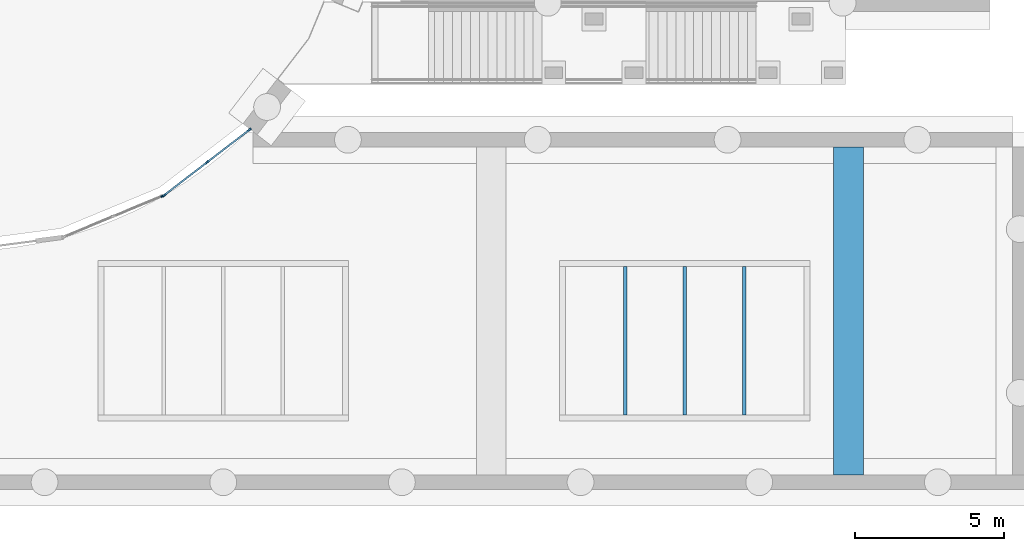
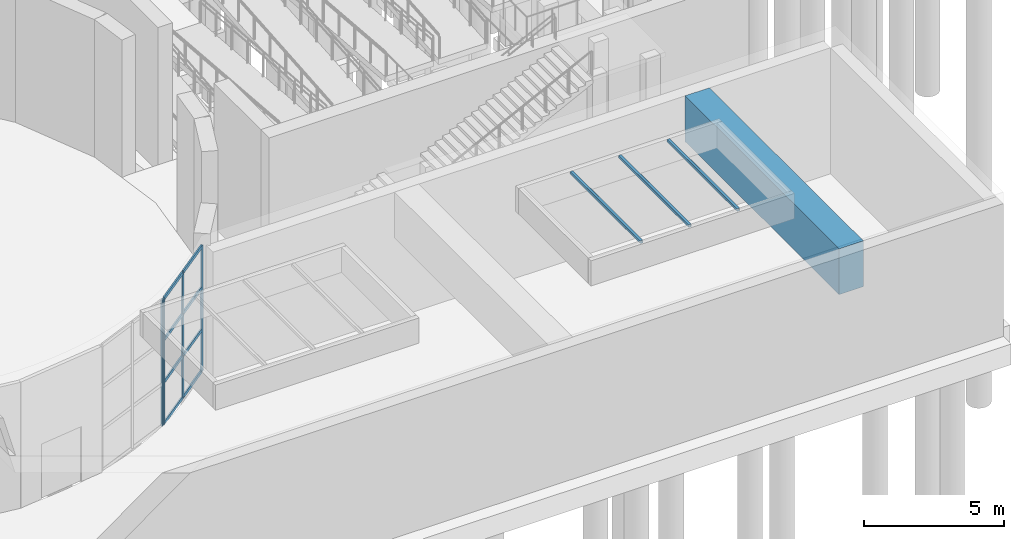
# One storey, part 14 of 66: 12 members, 4 beams, 2 elements without a shape of their own.
"""IFC4 building model written with IfcOpenShell, lengths in metres."""

from ifc_helpers import new_model, si_unit, direction, frame, origin, origin_2d, place, context, subcontext, project, spatial, rectangle, hollow_rectangle, extrude, material, layer, layer_set, material_profile, profile_set, type_object, element, aggregate, save


model = new_model("IFC4")

# Units and contexts
model_context = context("Model", 3, precision=1e-05, world=origin(), true_north=direction((0.0, 1.0)))
body_context = subcontext(model_context, "Body", "Model", "MODEL_VIEW")
ifc_project = project(units=[si_unit("LENGTHUNIT", "METRE"), si_unit("AREAUNIT", "SQUARE_METRE"), si_unit("VOLUMEUNIT", "CUBIC_METRE"), si_unit("PLANEANGLEUNIT", "RADIAN"), si_unit("MASSUNIT", "GRAM", prefix="KILO")], contexts=[model_context])

# Site, building, storey
site_placement = place(None, origin())
site = spatial("IfcSite", under=ifc_project, at=site_placement, CompositionType="ELEMENT")
building_placement = place(site_placement, origin())
building = spatial("IfcBuilding", under=site, at=building_placement, Name="Lunette Opera House", CompositionType="ELEMENT")
storey_placement = place(building_placement, frame((0.0, 0.0, -6.0)))
storey = spatial("IfcBuildingStorey", under=building, at=storey_placement, Name="B1", CompositionType="ELEMENT", Elevation=-6.0)

# Beam
ifc_material_1 = material(Name="Concrete C40/50", Category="concrete")
ifc_material_profile_1 = material_profile(ifc_material_1, rectangle(XDim=1.0, YDim=2.0, at=origin_2d()), Name="CONCOURSE GIRDER 1000X2000")
ifc_profile_set_1 = profile_set([ifc_material_profile_1], Name="Concrete C40/50")
beam_type_1 = type_object("IfcBeamType", Name="CONCOURSE GIRDER 1000X2000", PredefinedType="BEAM", material=ifc_profile_set_1)
beam_placement = place(storey_placement, frame((126.0, 4.489990234375, 4.5), z_axis=(0.0, 1.0, 0.0), x_axis=(-1.0, 0.0, 0.0)))
element("IfcBeam", 1, at=beam_placement, inside=storey, type_object=beam_type_1, Name="beam-SF-B1-CG4", PredefinedType="BEAM", context=body_context, shape_type="SweptSolid", body=[
    extrude(rectangle(XDim=1.0, YDim=2.0, at=origin_2d()), origin(), (0.0, 0.0, 1.0), 11.02001953125),
])

# Curtain wall, members
ifc_material_2 = material(Name="Aluminium", Category="aluminium")
ifc_layer = layer(ifc_material_2, 0.139892578125)
ifc_layer_set = layer_set([ifc_layer], Name="Aluminium")
curtain_wall_type = type_object("IfcCurtainWallType", Name="COURT SCREEN CURTAIN WALL", PredefinedType="NOTDEFINED", material=ifc_layer_set)
curtain_wall_1_placement = place(storey_placement, origin())
curtain_wall_1 = element("IfcCurtainWall", 2, at=curtain_wall_1_placement, inside=storey, type_object=curtain_wall_type, Name="Court Screen Curtain Wall CSCW10 B1", PredefinedType="NOTDEFINED")
ifc_material_3 = material(Name="Aluminium", Category="aluminium")
ifc_material_profile_2 = material_profile(ifc_material_3, rectangle(XDim=0.06005859375, YDim=0.139892578125, at=origin_2d()), Name="MULLION 60 X 140")
ifc_profile_set_2 = profile_set([ifc_material_profile_2], Name="Aluminium")
member_type_1 = type_object("IfcMemberType", Name="MULLION 60 X 140", PredefinedType="MULLION", material=ifc_profile_set_2)
member_1_placement = place(storey_placement, frame((105.875244140625, 16.082763671875, 0.0), z_axis=(0.0, 0.0, 1.0), x_axis=(0.608850824277, -0.793284736887, 0.0)))
member_1 = element("IfcMember", 3, at=member_1_placement, type_object=member_type_1, Name="SF-X2001 mullion 1", PredefinedType="MULLION", context=body_context, shape_type="SweptSolid", body=[
    extrude(rectangle(XDim=0.06005859375, YDim=0.139892578125, at=origin_2d()), origin(), (0.0, 0.0, 1.0), 5.5),
])
member_2_placement = place(storey_placement, frame((104.449462890625, 14.988525390625, 0.0), z_axis=(0.0, 0.0, 1.0), x_axis=(0.608850824277, -0.793284736887, 0.0)))
member_2 = element("IfcMember", 4, at=member_2_placement, type_object=member_type_1, Name="SF-X2001 mullion 2", PredefinedType="MULLION", context=body_context, shape_type="SweptSolid", body=[
    extrude(rectangle(XDim=0.06005859375, YDim=0.139892578125, at=origin_2d()), origin(), (0.0, 0.0, 1.0), 5.5),
])
member_3_placement = place(storey_placement, frame((103.023681640625, 13.894287109375, 0.0), z_axis=(0.0, 0.0, 1.0), x_axis=(0.608850824277, -0.793284736887, 0.0)))
member_3 = element("IfcMember", 5, at=member_3_placement, type_object=member_type_1, Name="SF-X2001 mullion 3", PredefinedType="MULLION", context=body_context, shape_type="SweptSolid", body=[
    extrude(rectangle(XDim=0.06005859375, YDim=0.139892578125, at=origin_2d()), origin(), (0.0, 0.0, 1.0), 5.5),
])

# Curtain wall, member
curtain_wall_2_placement = place(storey_placement, origin())
curtain_wall_2 = element("IfcCurtainWall", 6, at=curtain_wall_2_placement, inside=storey, type_object=curtain_wall_type, Name="Court Screen Curtain Wall CSCW11 B1", PredefinedType="NOTDEFINED")
member_4_placement = place(storey_placement, frame((102.97216796875, 13.864501953125, 0.0), z_axis=(0.0, 0.0, 1.0), x_axis=(0.38273032068, -0.923860109341, 0.0)))
member_4 = element("IfcMember", 7, at=member_4_placement, type_object=member_type_1, Name="SF-X2002 mullion 1", PredefinedType="MULLION", context=body_context, shape_type="SweptSolid", body=[
    extrude(rectangle(XDim=0.06005859375, YDim=0.139892578125, at=origin_2d()), origin(), (0.0, 0.0, 1.0), 5.5),
])
aggregate(curtain_wall_2, [member_4])

# Beams
ifc_material_4 = material(Name="Steel S355", Category="steel")
ifc_material_profile_3 = material_profile(ifc_material_4, hollow_rectangle(XDim=0.1201171875, YDim=0.1201171875, WallThickness=0.006103515625, InnerFilletRadius=0.006103515625, OuterFilletRadius=0.011962890625, at=origin_2d()), Name="RHS 120X120X6")
ifc_profile_set_3 = profile_set([ifc_material_profile_3], Name="Steel S355")
beam_type_2 = type_object("IfcBeamType", Name="STEEL BEAM RHS 120X120X6", PredefinedType="BEAM", material=ifc_profile_set_3)
for number, where, z_axis, x_axis, name in (
    (8, (118.5, 6.5, 7.0400390625), (0.0, 1.0, 0.0), (-1.0, 0.0, 0.0), "Rooflight beam RL4 1"),
    (9, (120.5, 6.5, 7.0400390625), (0.0, 1.0, 0.0), (-1.0, 0.0, 0.0), "Rooflight beam RL4 2"),
    (10, (122.5, 6.5, 7.0400390625), (0.0, 1.0, 0.0), (-1.0, 0.0, 0.0), "Rooflight beam RL4 3"),
):
    element("IfcBeam", number, at=place(storey_placement, frame(where, z_axis=z_axis, x_axis=x_axis)), inside=storey, type_object=beam_type_2, Name=name, PredefinedType="BEAM", context=body_context, shape_type="SweptSolid", body=[
        extrude(hollow_rectangle(XDim=0.1201171875, YDim=0.1201171875, WallThickness=0.006103515625, InnerFilletRadius=0.006103515625, OuterFilletRadius=0.011962890625, at=origin_2d()), origin(), (0.0, 0.0, 1.0), 5.0),
    ])

# Member
ifc_material_5 = material(Name="Aluminium", Category="aluminium")
ifc_material_profile_4 = material_profile(ifc_material_5, rectangle(XDim=0.06005859375, YDim=0.139892578125, at=origin_2d()), Name="TRANSOM 60 X 140")
ifc_profile_set_4 = profile_set([ifc_material_profile_4], Name="Aluminium")
member_type_2 = type_object("IfcMemberType", Name="TRANSOM 60 X 140", PredefinedType="USERDEFINED", material=ifc_profile_set_4)
member_5_placement = place(storey_placement, frame((105.851318359375, 16.064453125, 0.030029296875), z_axis=(-0.793271435985, -0.608868153913, 0.0), x_axis=(0.608868153913, -0.793271435985, 0.0)))
member_5 = element("IfcMember", 11, at=member_5_placement, type_object=member_type_2, Name="SF-X2001 transom 1.1", ObjectType="TRANSOM", PredefinedType="USERDEFINED", context=body_context, shape_type="SweptSolid", body=[
    extrude(rectangle(XDim=0.06005859375, YDim=0.139892578125, at=origin_2d()), origin(), (0.0, 0.0, 1.0), 1.737060546875),
])

member_6_placement = place(storey_placement, frame((105.851318359375, 16.064453125, 1.8330078125), z_axis=(-0.793271435985, -0.608868153913, 0.0), x_axis=(0.608868153913, -0.793271435985, 0.0)))
member_6 = element("IfcMember", 12, at=member_6_placement, type_object=member_type_2, Name="SF-X2001 transom 1.2", ObjectType="TRANSOM", PredefinedType="USERDEFINED", context=body_context, shape_type="SweptSolid", body=[
    extrude(rectangle(XDim=0.06005859375, YDim=0.139892578125, at=origin_2d()), origin(), (0.0, 0.0, 1.0), 1.737060546875),
])

member_7_placement = place(storey_placement, frame((105.851318359375, 16.064453125, 3.6669921875), z_axis=(-0.793271435985, -0.608868153913, 0.0), x_axis=(0.608868153913, -0.793271435985, 0.0)))
member_7 = element("IfcMember", 13, at=member_7_placement, type_object=member_type_2, Name="SF-X2001 transom 1.3", ObjectType="TRANSOM", PredefinedType="USERDEFINED", context=body_context, shape_type="SweptSolid", body=[
    extrude(rectangle(XDim=0.06005859375, YDim=0.139892578125, at=origin_2d()), origin(), (0.0, 0.0, 1.0), 1.737060546875),
])

member_8_placement = place(storey_placement, frame((105.851318359375, 16.064453125, 5.469970703125), z_axis=(-0.793271435985, -0.608868153913, 0.0), x_axis=(0.608868153913, -0.793271435985, 0.0)))
member_8 = element("IfcMember", 14, at=member_8_placement, type_object=member_type_2, Name="SF-X2001 transom 1.4", ObjectType="TRANSOM", PredefinedType="USERDEFINED", context=body_context, shape_type="SweptSolid", body=[
    extrude(rectangle(XDim=0.06005859375, YDim=0.139892578125, at=origin_2d()), origin(), (0.0, 0.0, 1.0), 1.737060546875),
])

member_9_placement = place(storey_placement, frame((104.42578125, 14.97021484375, 0.030029296875), z_axis=(-0.793323532504, -0.608800273305, 0.0), x_axis=(0.608800273305, -0.793323532504, 0.0)))
member_9 = element("IfcMember", 15, at=member_9_placement, type_object=member_type_2, Name="SF-X2001 transom 2.1", ObjectType="TRANSOM", PredefinedType="USERDEFINED", context=body_context, shape_type="SweptSolid", body=[
    extrude(rectangle(XDim=0.06005859375, YDim=0.139892578125, at=origin_2d()), origin(), (0.0, 0.0, 1.0), 1.7373046875),
])

member_10_placement = place(storey_placement, frame((104.42578125, 14.97021484375, 1.8330078125), z_axis=(-0.793323532504, -0.608800273305, 0.0), x_axis=(0.608800273305, -0.793323532504, 0.0)))
member_10 = element("IfcMember", 16, at=member_10_placement, type_object=member_type_2, Name="SF-X2001 transom 2.2", ObjectType="TRANSOM", PredefinedType="USERDEFINED", context=body_context, shape_type="SweptSolid", body=[
    extrude(rectangle(XDim=0.06005859375, YDim=0.139892578125, at=origin_2d()), origin(), (0.0, 0.0, 1.0), 1.7373046875),
])

member_11_placement = place(storey_placement, frame((104.42578125, 14.97021484375, 3.6669921875), z_axis=(-0.793323532504, -0.608800273305, 0.0), x_axis=(0.608800273305, -0.793323532504, 0.0)))
member_11 = element("IfcMember", 17, at=member_11_placement, type_object=member_type_2, Name="SF-X2001 transom 2.3", ObjectType="TRANSOM", PredefinedType="USERDEFINED", context=body_context, shape_type="SweptSolid", body=[
    extrude(rectangle(XDim=0.06005859375, YDim=0.139892578125, at=origin_2d()), origin(), (0.0, 0.0, 1.0), 1.7373046875),
])

member_12_placement = place(storey_placement, frame((104.42578125, 14.97021484375, 5.469970703125), z_axis=(-0.793323532504, -0.608800273305, 0.0), x_axis=(0.608800273305, -0.793323532504, 0.0)))
member_12 = element("IfcMember", 18, at=member_12_placement, type_object=member_type_2, Name="SF-X2001 transom 2.4", ObjectType="TRANSOM", PredefinedType="USERDEFINED", context=body_context, shape_type="SweptSolid", body=[
    extrude(rectangle(XDim=0.06005859375, YDim=0.139892578125, at=origin_2d()), origin(), (0.0, 0.0, 1.0), 1.7373046875),
])

aggregate(curtain_wall_1, [member_1, member_2, member_3, member_5, member_6, member_7, member_8, member_9, member_10, member_11, member_12])

save(model, "model.ifc")
